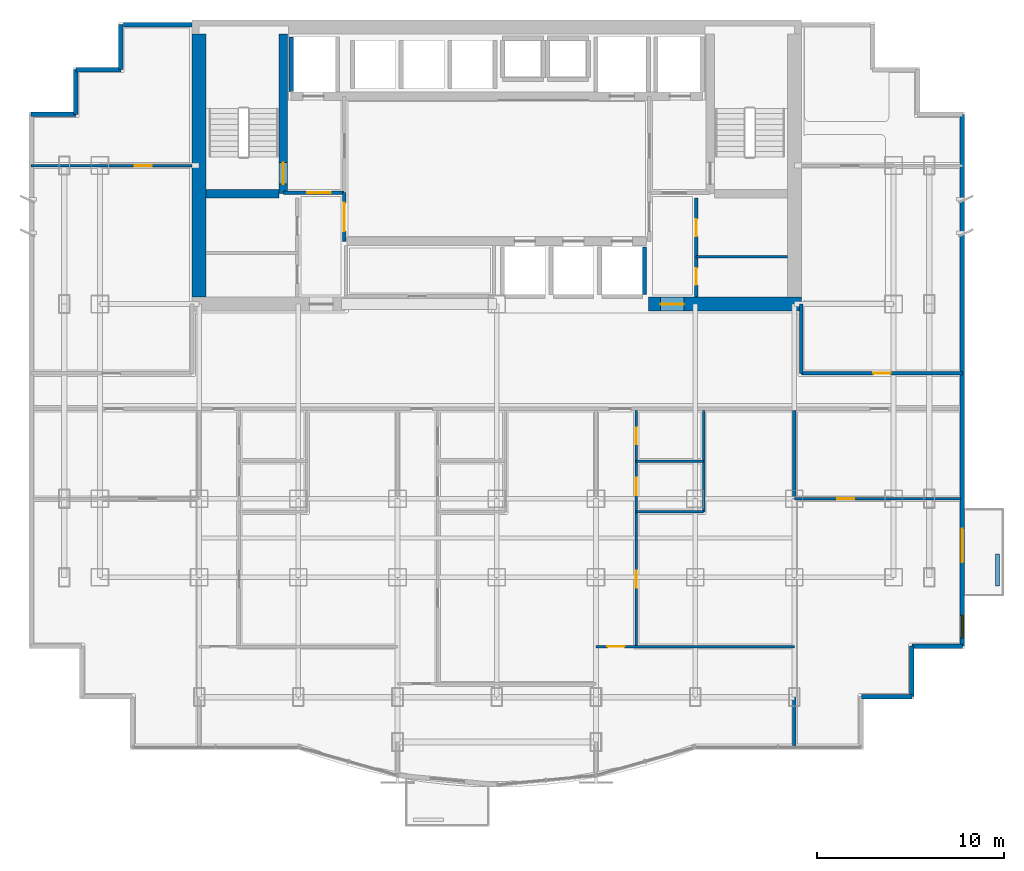
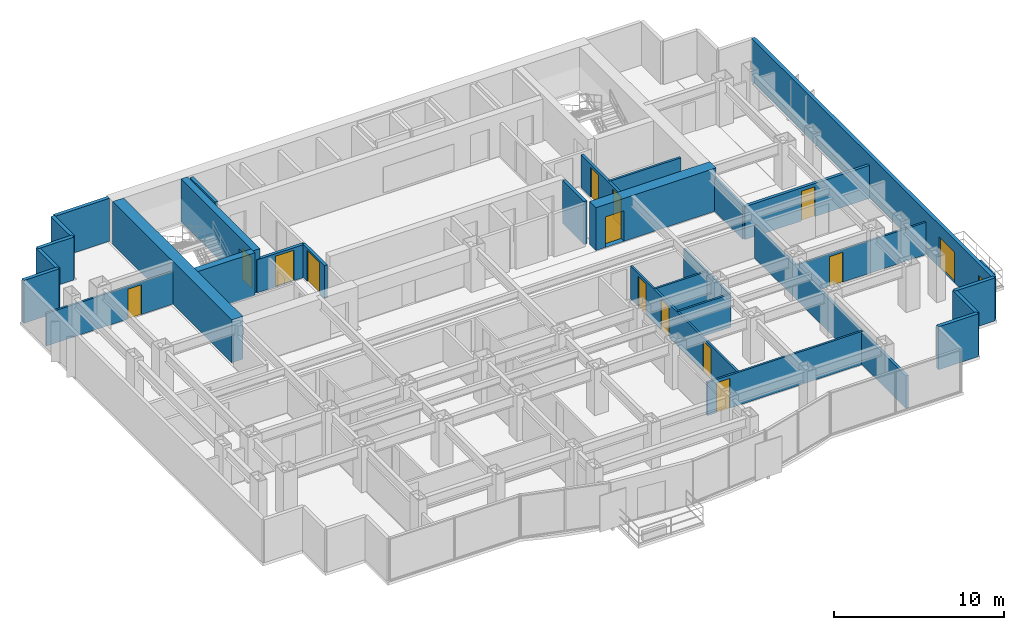
# One storey, part 6 of 9: 30 walls, 14 doors, 1 window, 15 openings.
"""IFC4 building model written with IfcOpenShell, lengths in metres."""

from ifc_helpers import new_model, si_unit, direction, frame, frame_2d, origin, place, context, subcontext, project, spatial, rectangle, extrude, material, layer, layer_set, type_object, element, fill, save


model = new_model("IFC4")

# Units and contexts
model_context = context("Model", 3, precision=1e-05, world=origin(), true_north=direction((0.0, 1.0)))
body_context = subcontext(model_context, "Body", "Model", "MODEL_VIEW")
ifc_project = project(units=[si_unit("LENGTHUNIT", "METRE"), si_unit("AREAUNIT", "SQUARE_METRE"), si_unit("VOLUMEUNIT", "CUBIC_METRE"), si_unit("PLANEANGLEUNIT", "RADIAN"), si_unit("MASSUNIT", "GRAM", prefix="KILO")], contexts=[model_context])

# Site, building, storey
site_placement = place(None, origin())
site = spatial("IfcSite", under=ifc_project, at=site_placement, CompositionType="ELEMENT")
building_placement = place(site_placement, origin())
building = spatial("IfcBuilding", under=site, at=building_placement, Name="Qianlan Lanfeng Residences", CompositionType="ELEMENT")
storey_placement = place(building_placement, frame((0.0, 0.0, 111.39990234375)))
storey = spatial("IfcBuildingStorey", under=building, at=storey_placement, Name="L30", CompositionType="ELEMENT", Elevation=111.39990234375)

# Wall, opening, door
ifc_material_1 = material(Name="Concrete C60", Category="concrete")
ifc_layer_1 = layer(ifc_material_1, 0.449951171875)
ifc_layer_set_1 = layer_set([ifc_layer_1], Name="Concrete C60")
wall_type_1 = type_object("IfcWallType", Name="CW-RC-450", PredefinedType="SHEAR", material=ifc_layer_set_1)
wall_1_placement = place(storey_placement, frame((15.10009765625, 31.10009765625, 0.0), z_axis=(0.0, 0.0, 1.0), x_axis=(0.0, 1.0, 0.0)))
wall_1 = element("IfcWall", 1, at=wall_1_placement, inside=storey, type_object=wall_type_1, Name="L30 Core Shear Wall ST1E", PredefinedType="SHEAR", context=body_context, shape_type="SweptSolid", body=[
    extrude(rectangle(XDim=8.52490234375, YDim=0.449951171875, at=frame_2d((4.262451171875, 0.0))), origin(), (0.0, 0.0, 1.0), 3.090087890625),
])
opening_1_placement = place(wall_1_placement, frame((0.510009765625, 0.0, 0.0)))
opening_1 = element("IfcOpeningElement", 2, at=opening_1_placement, cuts=wall_1, Name="Opening L30-D07", PredefinedType="OPENING", context=body_context, shape_type="SweptSolid", body=[
    extrude(rectangle(XDim=1.14990234375, YDim=2.199951171875, at=frame_2d((0.574951171875, 1.10009765625))), frame((0.0, 0.23486328125, 0.0), z_axis=(0.0, -1.0, 0.0), x_axis=(1.0, 0.0, 0.0)), (0.0, 0.0, 1.0), 0.469970703125),
])
ifc_material_2 = material(Name="Painted Galvanised Steel Fire Door", Category="steel")
door_type_1 = type_object("IfcDoorType", Name="DT-ST1", OperationType="NOTDEFINED", PredefinedType="DOOR", material=ifc_material_2)
door_1_placement = place(opening_1_placement, frame((1.14990234375, 0.0, 0.0), z_axis=(0.0, 0.0, 1.0), x_axis=(-1.0, 0.0, 0.0)))
door_1 = element("IfcDoor", 3, at=door_1_placement, inside=storey, type_object=door_type_1, Name="L30 Exit Stair ST-1 Door L30-D07 (DT-ST1)", OperationType="SINGLE_SWING_RIGHT", OverallHeight=2.199951171875, OverallWidth=1.14990234375, PredefinedType="DOOR", context=body_context, shape_type="SweptSolid", body=[
    extrude(rectangle(XDim=1.14990234375, YDim=2.199951171875, at=frame_2d((0.574951171875, 1.10009765625))), frame((0.0, 0.02490234375, 0.0), z_axis=(0.0, -1.0, 0.0), x_axis=(1.0, 0.0, 0.0)), (0.0, 0.0, 1.0), 0.050048828125),
])
fill(opening_1, door_1)

# Walls
wall_2_placement = place(storey_placement, frame((10.97509765625, 31.10009765625, 0.0), z_axis=(0.0, 0.0, 1.0), x_axis=(1.0, 0.0, 0.0)))
element("IfcWall", 4, at=wall_2_placement, inside=storey, type_object=wall_type_1, Name="L30 Core Shear Wall ST1S", PredefinedType="SHEAR", context=body_context, shape_type="SweptSolid", body=[
    extrude(rectangle(XDim=3.89990234375, YDim=0.449951171875, at=frame_2d((1.949951171875, 0.0))), origin(), (0.0, 0.0, 1.0), 3.090087890625),
])
ifc_layer_2 = layer(ifc_material_1, 0.75)
ifc_layer_set_2 = layer_set([ifc_layer_2], Name="Concrete C60")
wall_type_2 = type_object("IfcWallType", Name="CW-RC-750", PredefinedType="SHEAR", material=ifc_layer_set_2)
wall_3_placement = place(storey_placement, frame((10.60009765625, 25.574951171875, 0.0), z_axis=(0.0, 0.0, 1.0), x_axis=(0.0, 1.0, 0.0)))
element("IfcWall", 5, at=wall_3_placement, inside=storey, type_object=wall_type_2, Name="L30 Core Shear Wall W", PredefinedType="SHEAR", context=body_context, shape_type="SweptSolid", body=[
    extrude(rectangle(XDim=14.050048828125, YDim=0.75, at=frame_2d((7.02490234375, 0.0))), origin(), (0.0, 0.0, 1.0), 3.090087890625),
])

# Wall, opening, door
wall_4_placement = place(storey_placement, frame((34.60009765625, 25.199951171875, 0.0), z_axis=(0.0, 0.0, 1.0), x_axis=(1.0, 0.0, 0.0)))
wall_4 = element("IfcWall", 6, at=wall_4_placement, inside=storey, type_object=wall_type_2, Name="L30 Core Shear Wall SE", PredefinedType="SHEAR", context=body_context, shape_type="SweptSolid", body=[
    extrude(rectangle(XDim=8.1748046875, YDim=0.75, at=frame_2d((4.08740234375, 0.0))), origin(), (0.0, 0.0, 1.0), 3.090087890625),
])
opening_2_placement = place(wall_4_placement, frame((0.64990234375, 0.0, 0.0)))
opening_2 = element("IfcOpeningElement", 7, at=opening_2_placement, cuts=wall_4, Name="Opening L30-D02", PredefinedType="OPENING", context=body_context, shape_type="SweptSolid", body=[
    extrude(rectangle(XDim=1.25, YDim=2.199951171875, at=frame_2d((0.625, 1.10009765625))), frame((0.0, 0.385009765625, 0.0), z_axis=(0.0, -1.0, 0.0), x_axis=(1.0, 0.0, 0.0)), (0.0, 0.0, 1.0), 0.77001953125),
])
door_type_2 = type_object("IfcDoorType", Name="DT-FFL", OperationType="NOTDEFINED", PredefinedType="DOOR", material=ifc_material_2)
door_2_placement = place(opening_2_placement, frame((1.25, 0.0, 0.0), z_axis=(0.0, 0.0, 1.0), x_axis=(-1.0, 0.0, 0.0)))
door_2 = element("IfcDoor", 8, at=door_2_placement, inside=storey, type_object=door_type_2, Name="L30 East Core Lobby Smoke Door L30-D02 (DT-FFL)", OperationType="SINGLE_SWING_LEFT", OverallHeight=2.199951171875, OverallWidth=1.25, PredefinedType="DOOR", context=body_context, shape_type="SweptSolid", body=[
    extrude(rectangle(XDim=1.25, YDim=2.199951171875, at=frame_2d((0.625, 1.10009765625))), frame((0.0, 0.02490234375, 0.0), z_axis=(0.0, -1.0, 0.0), x_axis=(1.0, 0.0, 0.0)), (0.0, 0.0, 1.0), 0.050048828125),
])
fill(opening_2, door_2)

# Walls
ifc_material_3 = material(Name="Concrete C42", Category="concrete")
ifc_layer_3 = layer(ifc_material_3, 0.239990234375)
ifc_layer_set_3 = layer_set([ifc_layer_3], Name="Concrete C42")
wall_type_3 = type_object("IfcWallType", Name="EW-240", PredefinedType="SOLIDWALL", material=ifc_layer_set_3)
for number, where, z_axis, x_axis, name in (
    (9, (45.97998046875, 4.219970703125, 0.0), (0.0, 0.0, 1.0), (1.0, 0.0, 0.0), "L30 Exterior Facade Spandrel Wall 7"),
    (10, (48.679931640625, 4.219970703125, 0.0), (0.0, 0.0, 1.0), (0.0, 1.0, 0.0), "L30 Exterior Facade Spandrel Wall 8"),
    (11, (48.679931640625, 6.919921875, 0.0), (0.0, 0.0, 1.0), (1.0, 0.0, 0.0), "L30 Exterior Facade Spandrel Wall 9"),
):
    element("IfcWall", number, at=place(storey_placement, frame(where, z_axis=z_axis, x_axis=x_axis)), inside=storey, type_object=wall_type_3, Name=name, PredefinedType="SOLIDWALL", context=body_context, shape_type="SweptSolid", body=[
        extrude(rectangle(XDim=2.699951171875, YDim=0.239990234375, at=frame_2d((1.35009765625, 0.0))), origin(), (0.0, 0.0, 1.0), 3.090087890625),
    ])

# Wall, openings, door, window
wall_5_placement = place(storey_placement, frame((51.3798828125, 6.919921875, 0.0), z_axis=(0.0, 0.0, 1.0), x_axis=(0.0, 1.0, 0.0)))
wall_5 = element("IfcWall", 12, at=wall_5_placement, inside=storey, type_object=wall_type_3, Name="L30 Terrace/Balcony Access Exterior Wall 10", PredefinedType="SOLIDWALL", context=body_context, shape_type="SweptSolid", body=[
    extrude(rectangle(XDim=28.41015625, YDim=0.239990234375, at=frame_2d((14.205078125, 0.0))), origin(), (0.0, 0.0, 1.0), 3.090087890625),
])
opening_3_placement = place(wall_5_placement, frame((4.47998046875, 0.0, 0.0)))
opening_3 = element("IfcOpeningElement", 13, at=opening_3_placement, cuts=wall_5, Name="Opening L30-D-EB-S", PredefinedType="OPENING", context=body_context, shape_type="SweptSolid", body=[
    extrude(rectangle(XDim=1.800048828125, YDim=2.199951171875, at=frame_2d((0.89990234375, 1.10009765625))), frame((0.0, 0.1298828125, 0.0), z_axis=(0.0, -1.0, 0.0), x_axis=(1.0, 0.0, 0.0)), (0.0, 0.0, 1.0), 0.260009765625),
])
opening_4_placement = place(wall_5_placement, frame((0.449951171875, 0.0, 0.75)))
opening_4 = element("IfcOpeningElement", 14, at=opening_4_placement, cuts=wall_5, Name="Opening W-03", PredefinedType="OPENING", context=body_context, shape_type="SweptSolid", body=[
    extrude(rectangle(XDim=1.199951171875, YDim=1.5, at=frame_2d((0.60009765625, 0.75))), frame((0.0, 0.1298828125, 0.0), z_axis=(0.0, -1.0, 0.0), x_axis=(1.0, 0.0, 0.0)), (0.0, 0.0, 1.0), 0.260009765625),
])
ifc_material_4 = material(Name="Anodised Bronze Aluminium Framed Glass", Category="aluminium")
door_type_3 = type_object("IfcDoorType", Name="DT-BAL1", OperationType="NOTDEFINED", PredefinedType="DOOR", material=ifc_material_4)
door_3_placement = place(opening_3_placement, frame((1.800048828125, 0.0, 0.0), z_axis=(0.0, 0.0, 1.0), x_axis=(-1.0, 0.0, 0.0)))
door_3 = element("IfcDoor", 15, at=door_3_placement, inside=storey, type_object=door_type_3, Name="L30 Exterior Access Door EB-S", OperationType="DOUBLE_DOOR_SLIDING", OverallHeight=2.199951171875, OverallWidth=1.800048828125, PredefinedType="DOOR", context=body_context, shape_type="SweptSolid", body=[
    extrude(rectangle(XDim=1.800048828125, YDim=2.199951171875, at=frame_2d((0.89990234375, 1.10009765625))), frame((0.0, 0.02490234375, 0.0), z_axis=(0.0, -1.0, 0.0), x_axis=(1.0, 0.0, 0.0)), (0.0, 0.0, 1.0), 0.050048828125),
])
fill(opening_3, door_3)
ifc_material_5 = material(Name="Anodised Bronze Aluminium Framed Double Glazing", Category="aluminium")
window_type = type_object("IfcWindowType", Name="W-03", PartitioningType="SINGLE_PANEL", PredefinedType="WINDOW", material=ifc_material_5)
window_placement = place(opening_4_placement, origin())
window = element("IfcWindow", 16, at=window_placement, inside=storey, type_object=window_type, Name="L30 Exterior Window W-03", OverallHeight=1.5, OverallWidth=1.199951171875, PartitioningType="SINGLE_PANEL", PredefinedType="WINDOW", context=body_context, shape_type="SweptSolid", body=[
    extrude(rectangle(XDim=1.199951171875, YDim=1.5, at=frame_2d((0.60009765625, 0.75))), frame((0.0, 0.030029296875, 0.0), z_axis=(0.0, -1.0, 0.0), x_axis=(1.0, 0.0, 0.0)), (0.0, 0.0, 1.0), 0.06005859375),
])
fill(opening_4, window)

# Walls
wall_6_placement = place(storey_placement, frame((10.22509765625, 40.1298828125, 0.0), z_axis=(0.0, 0.0, 1.0), x_axis=(-1.0, 0.0, 0.0)))
element("IfcWall", 17, at=wall_6_placement, inside=storey, type_object=wall_type_3, Name="L30 North Wing Exterior Wall W", PredefinedType="SOLIDWALL", context=body_context, shape_type="SweptSolid", body=[
    extrude(rectangle(XDim=3.675048828125, YDim=0.239990234375, at=frame_2d((1.83740234375, 0.0))), origin(), (0.0, 0.0, 1.0), 3.090087890625),
])
for number, where, z_axis, x_axis, name in (
    (18, (6.419921875, 40.1298828125, 0.0), (0.0, 0.0, 1.0), (0.0, -1.0, 0.0), "L30 Exterior Facade Spandrel Wall 17"),
    (19, (6.419921875, 37.72998046875, 0.0), (0.0, 0.0, 1.0), (-1.0, 0.0, 0.0), "L30 Exterior Facade Spandrel Wall 18"),
    (20, (4.02001953125, 37.72998046875, 0.0), (0.0, 0.0, 1.0), (0.0, -1.0, 0.0), "L30 Exterior Facade Spandrel Wall 19"),
    (21, (4.02001953125, 35.330078125, 0.0), (0.0, 0.0, 1.0), (-1.0, 0.0, 0.0), "L30 Exterior Facade Spandrel Wall 20"),
):
    element("IfcWall", number, at=place(storey_placement, frame(where, z_axis=z_axis, x_axis=x_axis)), inside=storey, type_object=wall_type_3, Name=name, PredefinedType="SOLIDWALL", context=body_context, shape_type="SweptSolid", body=[
        extrude(rectangle(XDim=2.39990234375, YDim=0.239990234375, at=frame_2d((1.199951171875, 0.0))), origin(), (0.0, 0.0, 1.0), 3.090087890625),
    ])
ifc_layer_4 = layer(ifc_material_3, 0.199951171875)
ifc_layer_set_4 = layer_set([ifc_layer_4], Name="Concrete C42")
wall_type_4 = type_object("IfcWallType", Name="PL-TREE-200", PredefinedType="PARAPET", material=ifc_layer_set_4)
wall_7_placement = place(storey_placement, frame((53.25, 10.14990234375, 0.0), z_axis=(0.0, 0.0, 1.0), x_axis=(0.0, 1.0, 0.0)))
element("IfcWall", 22, at=wall_7_placement, inside=storey, type_object=wall_type_4, Name="L30 East Tree Planter Curb EB-S", PredefinedType="PARAPET", context=body_context, shape_type="SweptSolid", body=[
    extrude(rectangle(XDim=1.7001953125, YDim=0.199951171875, at=frame_2d((0.85009765625, 0.0))), origin(), (0.0, 0.0, 1.0), 0.650146484375),
])

# Wall, opening, door
ifc_material_6 = material(Name="Moisture-Resistant Gypsum Partition 135 mm")
ifc_layer_5 = layer(ifc_material_6, 0.135009765625)
ifc_layer_set_5 = layer_set([ifc_layer_5], Name="Moisture-Resistant Gypsum Partition 135 mm")
wall_type_5 = type_object("IfcWallType", Name="PW-135", PredefinedType="PARTITIONING", material=ifc_layer_set_5)
wall_8_placement = place(storey_placement, frame((31.800048828125, 6.903076171875, 0.0), z_axis=(0.0, 0.0, 1.0), x_axis=(1.0, 0.0, 0.0)))
wall_8 = element("IfcWall", 23, at=wall_8_placement, inside=storey, type_object=wall_type_5, Name="L30 U03 Living Divider", PredefinedType="PARTITIONING", context=body_context, shape_type="SweptSolid", body=[
    extrude(rectangle(XDim=10.599853515625, YDim=0.135009765625, at=frame_2d((5.2998046875, 0.0))), origin(), (0.0, 0.0, 1.0), 2.380126953125),
])
opening_5_placement = place(wall_8_placement, frame((0.614990234375, 0.0, 0.0)))
opening_5 = element("IfcOpeningElement", 24, at=opening_5_placement, cuts=wall_8, Name="Opening L30-D27", PredefinedType="OPENING", context=body_context, shape_type="SweptSolid", body=[
    extrude(rectangle(XDim=0.919921875, YDim=2.14990234375, at=frame_2d((0.4599609375, 1.074951171875))), frame((0.0, 0.07763671875, 0.0), z_axis=(0.0, -1.0, 0.0), x_axis=(1.0, 0.0, 0.0)), (0.0, 0.0, 1.0), 0.155029296875),
])
ifc_material_7 = material(Name="Glazed Timber Kitchen/Study Door", Category="wood")
door_type_4 = type_object("IfcDoorType", Name="DT-INT", OperationType="NOTDEFINED", PredefinedType="DOOR", material=ifc_material_7)
door_4_placement = place(opening_5_placement, frame((0.919921875, 0.0, 0.0), z_axis=(0.0, 0.0, 1.0), x_axis=(-1.0, 0.0, 0.0)))
door_4 = element("IfcDoor", 25, at=door_4_placement, inside=storey, type_object=door_type_4, Name="L30 U03 Living Passage Door L30-D27 (DT-INT)", OperationType="SINGLE_SWING_RIGHT", OverallHeight=2.14990234375, OverallWidth=0.919921875, PredefinedType="DOOR", context=body_context, shape_type="SweptSolid", body=[
    extrude(rectangle(XDim=0.919921875, YDim=2.14990234375, at=frame_2d((0.4599609375, 1.074951171875))), frame((0.0, 0.02490234375, 0.0), z_axis=(0.0, -1.0, 0.0), x_axis=(1.0, 0.0, 0.0)), (0.0, 0.0, 1.0), 0.050048828125),
])
fill(opening_5, door_4)

# Wall, openings, doors
wall_9_placement = place(storey_placement, frame((33.949951171875, 6.903076171875, 0.0), z_axis=(0.0, 0.0, 1.0), x_axis=(0.0, 1.0, 0.0)))
wall_9 = element("IfcWall", 26, at=wall_9_placement, inside=storey, type_object=wall_type_5, Name="L30 U03 Entry Hall Spine", PredefinedType="PARTITIONING", context=body_context, shape_type="SweptSolid", body=[
    extrude(rectangle(XDim=12.596923828125, YDim=0.135009765625, at=frame_2d((6.29833984375, 0.0))), origin(), (0.0, 0.0, 1.0), 2.380126953125),
])
opening_6_placement = place(wall_9_placement, frame((3.138916015625, 0.0, 0.0)))
opening_6 = element("IfcOpeningElement", 27, at=opening_6_placement, cuts=wall_9, Name="Opening L30-D28", PredefinedType="OPENING", context=body_context, shape_type="SweptSolid", body=[
    extrude(rectangle(XDim=0.919921875, YDim=2.14990234375, at=frame_2d((0.4599609375, 1.074951171875))), frame((0.0, 0.07763671875, 0.0), z_axis=(0.0, -1.0, 0.0), x_axis=(1.0, 0.0, 0.0)), (0.0, 0.0, 1.0), 0.155029296875),
])
opening_7_placement = place(wall_9_placement, frame((8.0869140625, 0.0, 0.0)))
opening_7 = element("IfcOpeningElement", 28, at=opening_7_placement, cuts=wall_9, Name="Opening L30-D29", PredefinedType="OPENING", context=body_context, shape_type="SweptSolid", body=[
    extrude(rectangle(XDim=0.919921875, YDim=2.14990234375, at=frame_2d((0.4599609375, 1.074951171875))), frame((0.0, 0.07763671875, 0.0), z_axis=(0.0, -1.0, 0.0), x_axis=(1.0, 0.0, 0.0)), (0.0, 0.0, 1.0), 0.155029296875),
])
opening_8_placement = place(wall_9_placement, frame((10.797119140625, 0.0, 0.0)))
opening_8 = element("IfcOpeningElement", 29, at=opening_8_placement, cuts=wall_9, Name="Opening L30-D30", PredefinedType="OPENING", context=body_context, shape_type="SweptSolid", body=[
    extrude(rectangle(XDim=0.89990234375, YDim=2.14990234375, at=frame_2d((0.449951171875, 1.074951171875))), frame((0.0, 0.07763671875, 0.0), z_axis=(0.0, -1.0, 0.0), x_axis=(1.0, 0.0, 0.0)), (0.0, 0.0, 1.0), 0.155029296875),
])
door_5_placement = place(opening_6_placement, origin())
door_5 = element("IfcDoor", 30, at=door_5_placement, inside=storey, type_object=door_type_4, Name="L30 U03 Study Door L30-D28 (DT-INT)", OperationType="SINGLE_SWING_LEFT", OverallHeight=2.14990234375, OverallWidth=0.919921875, PredefinedType="DOOR", context=body_context, shape_type="SweptSolid", body=[
    extrude(rectangle(XDim=0.919921875, YDim=2.14990234375, at=frame_2d((0.4599609375, 1.074951171875))), frame((0.0, 0.02490234375, 0.0), z_axis=(0.0, -1.0, 0.0), x_axis=(1.0, 0.0, 0.0)), (0.0, 0.0, 1.0), 0.050048828125),
])
fill(opening_6, door_5)
door_6_placement = place(opening_7_placement, origin())
door_6 = element("IfcDoor", 31, at=door_6_placement, inside=storey, type_object=door_type_4, Name="L30 U03 Kitchen Door L30-D29 (DT-INT)", OperationType="SINGLE_SWING_RIGHT", OverallHeight=2.14990234375, OverallWidth=0.919921875, PredefinedType="DOOR", context=body_context, shape_type="SweptSolid", body=[
    extrude(rectangle(XDim=0.919921875, YDim=2.14990234375, at=frame_2d((0.4599609375, 1.074951171875))), frame((0.0, 0.02490234375, 0.0), z_axis=(0.0, -1.0, 0.0), x_axis=(1.0, 0.0, 0.0)), (0.0, 0.0, 1.0), 0.050048828125),
])
fill(opening_7, door_6)
ifc_material_8 = material(Name="Moisture-Resistant Timber Leaf", Category="wood")
door_type_5 = type_object("IfcDoorType", Name="DT-WC", OperationType="NOTDEFINED", PredefinedType="DOOR", material=ifc_material_8)
door_7_placement = place(opening_8_placement, origin())
door_7 = element("IfcDoor", 32, at=door_7_placement, inside=storey, type_object=door_type_5, Name="L30 U03 Bathroom Door L30-D30 (DT-WC)", OperationType="SINGLE_SWING_LEFT", OverallHeight=2.14990234375, OverallWidth=0.89990234375, PredefinedType="DOOR", context=body_context, shape_type="SweptSolid", body=[
    extrude(rectangle(XDim=0.89990234375, YDim=2.14990234375, at=frame_2d((0.449951171875, 1.074951171875))), frame((0.0, 0.02490234375, 0.0), z_axis=(0.0, -1.0, 0.0), x_axis=(1.0, 0.0, 0.0)), (0.0, 0.0, 1.0), 0.050048828125),
])
fill(opening_8, door_7)

# Walls
wall_10_placement = place(storey_placement, frame((33.949951171875, 14.10009765625, 0.0), z_axis=(0.0, 0.0, 1.0), x_axis=(1.0, 0.0, 0.0)))
element("IfcWall", 33, at=wall_10_placement, inside=storey, type_object=wall_type_5, Name="L30 U03 Kitchen South Wall", PredefinedType="PARTITIONING", context=body_context, shape_type="SweptSolid", body=[
    extrude(rectangle(XDim=3.60009765625, YDim=0.135009765625, at=frame_2d((1.800048828125, 0.0))), origin(), (0.0, 0.0, 1.0), 2.380126953125),
])
wall_11_placement = place(storey_placement, frame((37.550048828125, 14.10009765625, 0.0), z_axis=(0.0, 0.0, 1.0), x_axis=(0.0, 1.0, 0.0)))
element("IfcWall", 34, at=wall_11_placement, inside=storey, type_object=wall_type_5, Name="L30 U03 Dining East Wall", PredefinedType="PARTITIONING", context=body_context, shape_type="SweptSolid", body=[
    extrude(rectangle(XDim=5.39990234375, YDim=0.135009765625, at=frame_2d((2.699951171875, 0.0))), origin(), (0.0, 0.0, 1.0), 2.380126953125),
])
wall_12_placement = place(storey_placement, frame((33.949951171875, 16.800048828125, 0.0), z_axis=(0.0, 0.0, 1.0), x_axis=(1.0, 0.0, 0.0)))
element("IfcWall", 35, at=wall_12_placement, inside=storey, type_object=wall_type_5, Name="L30 U03 Bathroom South Wall", PredefinedType="PARTITIONING", context=body_context, shape_type="SweptSolid", body=[
    extrude(rectangle(XDim=3.60009765625, YDim=0.135009765625, at=frame_2d((1.800048828125, 0.0))), origin(), (0.0, 0.0, 1.0), 2.380126953125),
])

# Wall, opening, door
wall_13_placement = place(storey_placement, frame((42.39990234375, 14.800048828125, 0.0), z_axis=(0.0, 0.0, 1.0), x_axis=(1.0, 0.0, 0.0)))
wall_13 = element("IfcWall", 36, at=wall_13_placement, inside=storey, type_object=wall_type_5, Name="L30 SEP Mid Partition", PredefinedType="PARTITIONING", context=body_context, shape_type="SweptSolid", body=[
    extrude(rectangle(XDim=8.880126953125, YDim=0.135009765625, at=frame_2d((4.43994140625, 0.0))), origin(), (0.0, 0.0, 1.0), 2.335205078125),
])
opening_9_placement = place(wall_13_placement, frame((2.280029296875, 0.0, 0.0)))
opening_9 = element("IfcOpeningElement", 37, at=opening_9_placement, cuts=wall_13, Name="Opening L30-D33", PredefinedType="OPENING", context=body_context, shape_type="SweptSolid", body=[
    extrude(rectangle(XDim=0.919921875, YDim=2.14990234375, at=frame_2d((0.4599609375, 1.074951171875))), frame((0.0, 0.07763671875, 0.0), z_axis=(0.0, -1.0, 0.0), x_axis=(1.0, 0.0, 0.0)), (0.0, 0.0, 1.0), 0.155029296875),
])
door_8_placement = place(opening_9_placement, origin())
door_8 = element("IfcDoor", 38, at=door_8_placement, inside=storey, type_object=door_type_4, Name="L30 SEP Inner Door L30-D33 (DT-INT)", OperationType="SINGLE_SWING_RIGHT", OverallHeight=2.14990234375, OverallWidth=0.919921875, PredefinedType="DOOR", context=body_context, shape_type="SweptSolid", body=[
    extrude(rectangle(XDim=0.919921875, YDim=2.14990234375, at=frame_2d((0.4599609375, 1.074951171875))), frame((0.0, 0.02490234375, 0.0), z_axis=(0.0, -1.0, 0.0), x_axis=(1.0, 0.0, 0.0)), (0.0, 0.0, 1.0), 0.050048828125),
])
fill(opening_9, door_8)

wall_14_placement = place(storey_placement, frame((1.6201171875, 32.60009765625, 0.0), z_axis=(0.0, 0.0, 1.0), x_axis=(1.0, 0.0, 0.0)))
wall_14 = element("IfcWall", 39, at=wall_14_placement, inside=storey, type_object=wall_type_5, Name="L30 WW North Wing Wall", PredefinedType="PARTITIONING", context=body_context, shape_type="SweptSolid", body=[
    extrude(rectangle(XDim=8.60498046875, YDim=0.135009765625, at=frame_2d((4.302490234375, 0.0))), origin(), (0.0, 0.0, 1.0), 2.335205078125),
])
opening_10_placement = place(wall_14_placement, frame((5.5419921875, 0.0, 0.0)))
opening_10 = element("IfcOpeningElement", 40, at=opening_10_placement, cuts=wall_14, Name="Opening L30-D35", PredefinedType="OPENING", context=body_context, shape_type="SweptSolid", body=[
    extrude(rectangle(XDim=0.919921875, YDim=2.14990234375, at=frame_2d((0.4599609375, 1.074951171875))), frame((0.0, 0.07763671875, 0.0), z_axis=(0.0, -1.0, 0.0), x_axis=(1.0, 0.0, 0.0)), (0.0, 0.0, 1.0), 0.155029296875),
])
door_9_placement = place(opening_10_placement, origin())
door_9 = element("IfcDoor", 41, at=door_9_placement, inside=storey, type_object=door_type_4, Name="L30 WW Inner Salon Door L30-D35 (DT-INT)", OperationType="SINGLE_SWING_RIGHT", OverallHeight=2.14990234375, OverallWidth=0.919921875, PredefinedType="DOOR", context=body_context, shape_type="SweptSolid", body=[
    extrude(rectangle(XDim=0.919921875, YDim=2.14990234375, at=frame_2d((0.4599609375, 1.074951171875))), frame((0.0, 0.02490234375, 0.0), z_axis=(0.0, -1.0, 0.0), x_axis=(1.0, 0.0, 0.0)), (0.0, 0.0, 1.0), 0.050048828125),
])
fill(opening_10, door_9)

# Wall
ifc_material_9 = material(Name="Acoustic Drywall Partition 150 mm")
ifc_layer_6 = layer(ifc_material_9, 0.14990234375)
ifc_layer_set_6 = layer_set([ifc_layer_6], Name="Acoustic Drywall Partition 150 mm")
wall_type_6 = type_object("IfcWallType", Name="PW-150", PredefinedType="PARTITIONING", material=ifc_layer_set_6)
wall_15_placement = place(storey_placement, frame((37.14990234375, 27.72509765625, 0.0), z_axis=(0.0, 0.0, 1.0), x_axis=(1.0, 0.0, 0.0)))
element("IfcWall", 42, at=wall_15_placement, inside=storey, type_object=wall_type_6, Name="L30 Core East Split", PredefinedType="PARTITIONING", context=body_context, shape_type="SweptSolid", body=[
    extrude(rectangle(XDim=4.875, YDim=0.14990234375, at=frame_2d((2.4375, 0.0))), origin(), (0.0, 0.0, 1.0), 2.380126953125),
])

# Wall, openings, doors
ifc_material_10 = material(Name="Double-Layer Acoustic Gypsum Stud Wall 180 mm")
ifc_layer_7 = layer(ifc_material_10, 0.179931640625)
ifc_layer_set_7 = layer_set([ifc_layer_7], Name="Double-Layer Acoustic Gypsum Stud Wall 180 mm")
wall_type_7 = type_object("IfcWallType", Name="PW-180", PredefinedType="PARTITIONING", material=ifc_layer_set_7)
wall_16_placement = place(storey_placement, frame((37.14990234375, 25.574951171875, 0.0), z_axis=(0.0, 0.0, 1.0), x_axis=(0.0, 1.0, 0.0)))
wall_16 = element("IfcWall", 43, at=wall_16_placement, inside=storey, type_object=wall_type_7, Name="L30 Core East Service Room Wall", PredefinedType="PARTITIONING", context=body_context, shape_type="SweptSolid", body=[
    extrude(rectangle(XDim=5.300048828125, YDim=0.179931640625, at=frame_2d((2.64990234375, 0.0))), origin(), (0.0, 0.0, 1.0), 2.380126953125),
])
opening_11_placement = place(wall_16_placement, frame((0.64990234375, 0.0, 0.0)))
opening_11 = element("IfcOpeningElement", 44, at=opening_11_placement, cuts=wall_16, Name="Opening L30-D11", PredefinedType="OPENING", context=body_context, shape_type="SweptSolid", body=[
    extrude(rectangle(XDim=0.89990234375, YDim=2.14990234375, at=frame_2d((0.449951171875, 1.074951171875))), frame((0.0, 0.10009765625, 0.0), z_axis=(0.0, -1.0, 0.0), x_axis=(1.0, 0.0, 0.0)), (0.0, 0.0, 1.0), 0.199951171875),
])
opening_12_placement = place(wall_16_placement, frame((3.239990234375, 0.0, 0.0)))
opening_12 = element("IfcOpeningElement", 45, at=opening_12_placement, cuts=wall_16, Name="Opening L30-D12", PredefinedType="OPENING", context=body_context, shape_type="SweptSolid", body=[
    extrude(rectangle(XDim=0.919921875, YDim=2.14990234375, at=frame_2d((0.4599609375, 1.074951171875))), frame((0.0, 0.10009765625, 0.0), z_axis=(0.0, -1.0, 0.0), x_axis=(1.0, 0.0, 0.0)), (0.0, 0.0, 1.0), 0.199951171875),
])
door_10_placement = place(opening_12_placement, origin())
door_10 = element("IfcDoor", 46, at=door_10_placement, inside=storey, type_object=door_type_4, Name="L30 Refuse Room Door L30-D12 (DT-INT)", OperationType="SINGLE_SWING_LEFT", OverallHeight=2.14990234375, OverallWidth=0.919921875, PredefinedType="DOOR", context=body_context, shape_type="SweptSolid", body=[
    extrude(rectangle(XDim=0.919921875, YDim=2.14990234375, at=frame_2d((0.4599609375, 1.074951171875))), frame((0.0, 0.02490234375, 0.0), z_axis=(0.0, -1.0, 0.0), x_axis=(1.0, 0.0, 0.0)), (0.0, 0.0, 1.0), 0.050048828125),
])
fill(opening_12, door_10)
door_11_placement = place(opening_11_placement, origin())
door_11 = element("IfcDoor", 47, at=door_11_placement, inside=storey, type_object=door_type_5, Name="L30 Core WC Door L30-D11 (DT-WC)", OperationType="SINGLE_SWING_LEFT", OverallHeight=2.14990234375, OverallWidth=0.89990234375, PredefinedType="DOOR", context=body_context, shape_type="SweptSolid", body=[
    extrude(rectangle(XDim=0.89990234375, YDim=2.14990234375, at=frame_2d((0.449951171875, 1.074951171875))), frame((0.0, 0.02490234375, 0.0), z_axis=(0.0, -1.0, 0.0), x_axis=(1.0, 0.0, 0.0)), (0.0, 0.0, 1.0), 0.050048828125),
])
fill(opening_11, door_11)

# Wall
wall_17_placement = place(storey_placement, frame((42.39990234375, 1.6201171875, 0.0), z_axis=(0.0, 0.0, 1.0), x_axis=(0.0, 1.0, 0.0)))
element("IfcWall", 48, at=wall_17_placement, inside=storey, type_object=wall_type_7, Name="L30 Wing Boundary Party Wall E0", PredefinedType="PARTITIONING", context=body_context, shape_type="SweptSolid", body=[
    extrude(rectangle(XDim=17.8798828125, YDim=0.179931640625, at=frame_2d((8.93994140625, 0.0))), origin(), (0.0, 0.0, 1.0), 2.335205078125),
])

# Wall, opening, door
ifc_material_11 = material(Name="Autoclaved Aerated Concrete Blockwork 200 mm", Category="masonry")
ifc_layer_8 = layer(ifc_material_11, 0.199951171875)
ifc_layer_set_8 = layer_set([ifc_layer_8], Name="Autoclaved Aerated Concrete Blockwork 200 mm")
wall_type_8 = type_object("IfcWallType", Name="PW-200", PredefinedType="PARTITIONING", material=ifc_layer_set_8)
wall_18_placement = place(storey_placement, frame((15.10009765625, 31.14990234375, 0.0), z_axis=(0.0, 0.0, 1.0), x_axis=(1.0, 0.0, 0.0)))
wall_18 = element("IfcWall", 49, at=wall_18_placement, inside=storey, type_object=wall_type_8, Name="L30 Firefighting Lobby 1 South Wall", PredefinedType="PARTITIONING", context=body_context, shape_type="SweptSolid", body=[
    extrude(rectangle(XDim=3.25, YDim=0.199951171875, at=frame_2d((1.625, 0.0))), origin(), (0.0, 0.0, 1.0), 2.380126953125),
])
opening_13_placement = place(wall_18_placement, frame((1.27490234375, 0.0, 0.0)))
opening_13 = element("IfcOpeningElement", 50, at=opening_13_placement, cuts=wall_18, Name="Opening L30-D03", PredefinedType="OPENING", context=body_context, shape_type="SweptSolid", body=[
    extrude(rectangle(XDim=1.25, YDim=2.199951171875, at=frame_2d((0.625, 1.10009765625))), frame((0.0, 0.10986328125, 0.0), z_axis=(0.0, -1.0, 0.0), x_axis=(1.0, 0.0, 0.0)), (0.0, 0.0, 1.0), 0.219970703125),
])
door_12_placement = place(opening_13_placement, origin())
door_12 = element("IfcDoor", 51, at=door_12_placement, inside=storey, type_object=door_type_2, Name="L30 Firefighting Lobby 1 Entry Door L30-D03 (DT-FFL)", OperationType="SINGLE_SWING_LEFT", OverallHeight=2.199951171875, OverallWidth=1.25, PredefinedType="DOOR", context=body_context, shape_type="SweptSolid", body=[
    extrude(rectangle(XDim=1.25, YDim=2.199951171875, at=frame_2d((0.625, 1.10009765625))), frame((0.0, 0.02490234375, 0.0), z_axis=(0.0, -1.0, 0.0), x_axis=(1.0, 0.0, 0.0)), (0.0, 0.0, 1.0), 0.050048828125),
])
fill(opening_13, door_12)

wall_19_placement = place(storey_placement, frame((18.35009765625, 28.550048828125, 0.0), z_axis=(0.0, 0.0, 1.0), x_axis=(0.0, 1.0, 0.0)))
wall_19 = element("IfcWall", 52, at=wall_19_placement, inside=storey, type_object=wall_type_8, Name="L30 Lift Lobby West Connector Wall", PredefinedType="PARTITIONING", context=body_context, shape_type="SweptSolid", body=[
    extrude(rectangle(XDim=2.599853515625, YDim=0.199951171875, at=frame_2d((1.2998046875, 0.0))), origin(), (0.0, 0.0, 1.0), 2.380126953125),
])
opening_14_placement = place(wall_19_placement, frame((0.550048828125, 0.0, 0.0)))
opening_14 = element("IfcOpeningElement", 53, at=opening_14_placement, cuts=wall_19, Name="Opening L30-D13", PredefinedType="OPENING", context=body_context, shape_type="SweptSolid", body=[
    extrude(rectangle(XDim=1.5, YDim=2.25, at=frame_2d((0.75, 1.125))), frame((0.0, 0.10986328125, 0.0), z_axis=(0.0, -1.0, 0.0), x_axis=(1.0, 0.0, 0.0)), (0.0, 0.0, 1.0), 0.219970703125),
])
ifc_material_12 = material(Name="Timber Veneer Acoustic Fire Door", Category="wood")
door_type_6 = type_object("IfcDoorType", Name="DT-COR1", OperationType="NOTDEFINED", PredefinedType="DOOR", material=ifc_material_12)
door_13_placement = place(opening_14_placement, origin())
door_13 = element("IfcDoor", 54, at=door_13_placement, inside=storey, type_object=door_type_6, Name="L30 Lift Lobby West Portal Door L30-D13 (DT-COR1)", OperationType="DOUBLE_DOOR_SINGLE_SWING", OverallHeight=2.25, OverallWidth=1.5, PredefinedType="DOOR", context=body_context, shape_type="SweptSolid", body=[
    extrude(rectangle(XDim=1.5, YDim=2.25, at=frame_2d((0.75, 1.125))), frame((0.0, 0.02490234375, 0.0), z_axis=(0.0, -1.0, 0.0), x_axis=(1.0, 0.0, 0.0)), (0.0, 0.0, 1.0), 0.050048828125),
])
fill(opening_14, door_13)

wall_20_placement = place(storey_placement, frame((42.77490234375, 21.5, 0.0), z_axis=(0.0, 0.0, 1.0), x_axis=(1.0, 0.0, 0.0)))
wall_20 = element("IfcWall", 55, at=wall_20_placement, inside=storey, type_object=wall_type_8, Name="L30 Corridor NE Wall", PredefinedType="PARTITIONING", context=body_context, shape_type="SweptSolid", body=[
    extrude(rectangle(XDim=8.60498046875, YDim=0.199951171875, at=frame_2d((4.302490234375, 0.0))), origin(), (0.0, 0.0, 1.0), 2.380126953125),
])
opening_15_placement = place(wall_20_placement, frame((3.842041015625, 0.0, 0.0)))
opening_15 = element("IfcOpeningElement", 56, at=opening_15_placement, cuts=wall_20, Name="Opening L30-D38", PredefinedType="OPENING", context=body_context, shape_type="SweptSolid", body=[
    extrude(rectangle(XDim=0.919921875, YDim=2.14990234375, at=frame_2d((0.4599609375, 1.074951171875))), frame((0.0, 0.10986328125, 0.0), z_axis=(0.0, -1.0, 0.0), x_axis=(1.0, 0.0, 0.0)), (0.0, 0.0, 1.0), 0.219970703125),
])
door_14_placement = place(opening_15_placement, origin())
door_14 = element("IfcDoor", 57, at=door_14_placement, inside=storey, type_object=door_type_4, Name="L30 EW Amenity Salon Door L30-D38 (DT-INT)", OperationType="SINGLE_SWING_LEFT", OverallHeight=2.14990234375, OverallWidth=0.919921875, PredefinedType="DOOR", context=body_context, shape_type="SweptSolid", body=[
    extrude(rectangle(XDim=0.919921875, YDim=2.14990234375, at=frame_2d((0.4599609375, 1.074951171875))), frame((0.0, 0.02490234375, 0.0), z_axis=(0.0, -1.0, 0.0), x_axis=(1.0, 0.0, 0.0)), (0.0, 0.0, 1.0), 0.050048828125),
])
fill(opening_15, door_14)

# Walls
wall_21_placement = place(storey_placement, frame((42.77490234375, 21.5, 0.0), z_axis=(0.0, 0.0, 1.0), x_axis=(0.0, 1.0, 0.0)))
element("IfcWall", 58, at=wall_21_placement, inside=storey, type_object=wall_type_8, Name="L30 NE Wing Core Return Wall", PredefinedType="PARTITIONING", context=body_context, shape_type="SweptSolid", body=[
    extrude(rectangle(XDim=3.699951171875, YDim=0.199951171875, at=frame_2d((1.85009765625, 0.0))), origin(), (0.0, 0.0, 1.0), 2.380126953125),
])
ifc_material_13 = material(Name="Concrete C49", Category="concrete")
ifc_layer_9 = layer(ifc_material_13, 0.219970703125)
ifc_layer_set_9 = layer_set([ifc_layer_9], Name="Concrete C49")
wall_type_9 = type_object("IfcWallType", Name="SHW-220", PredefinedType="SOLIDWALL", material=ifc_layer_set_9)
wall_22_placement = place(storey_placement, frame((15.52001953125, 36.550048828125, 0.0), z_axis=(0.0, 0.0, 1.0), x_axis=(0.0, 1.0, 0.0)))
element("IfcWall", 59, at=wall_22_placement, inside=storey, type_object=wall_type_9, Name="L30 Lift FFL-1 Shaft Wall W", PredefinedType="SOLIDWALL", context=body_context, shape_type="SweptSolid", body=[
    extrude(rectangle(XDim=2.929931640625, YDim=0.219970703125, at=frame_2d((1.46484375, 0.0))), origin(), (0.0, 0.0, 1.0), 3.090087890625),
])
wall_23_placement = place(storey_placement, frame((34.39990234375, 25.719970703125, 0.0), z_axis=(0.0, 0.0, 1.0), x_axis=(0.0, 1.0, 0.0)))
element("IfcWall", 60, at=wall_23_placement, inside=storey, type_object=wall_type_9, Name="L30 Lift PL-M3 Shaft Wall E", PredefinedType="SOLIDWALL", context=body_context, shape_type="SweptSolid", body=[
    extrude(rectangle(XDim=2.530029296875, YDim=0.219970703125, at=frame_2d((1.26513671875, 0.0))), origin(), (0.0, 0.0, 1.0), 3.090087890625),
])

save(model, "model.ifc")
